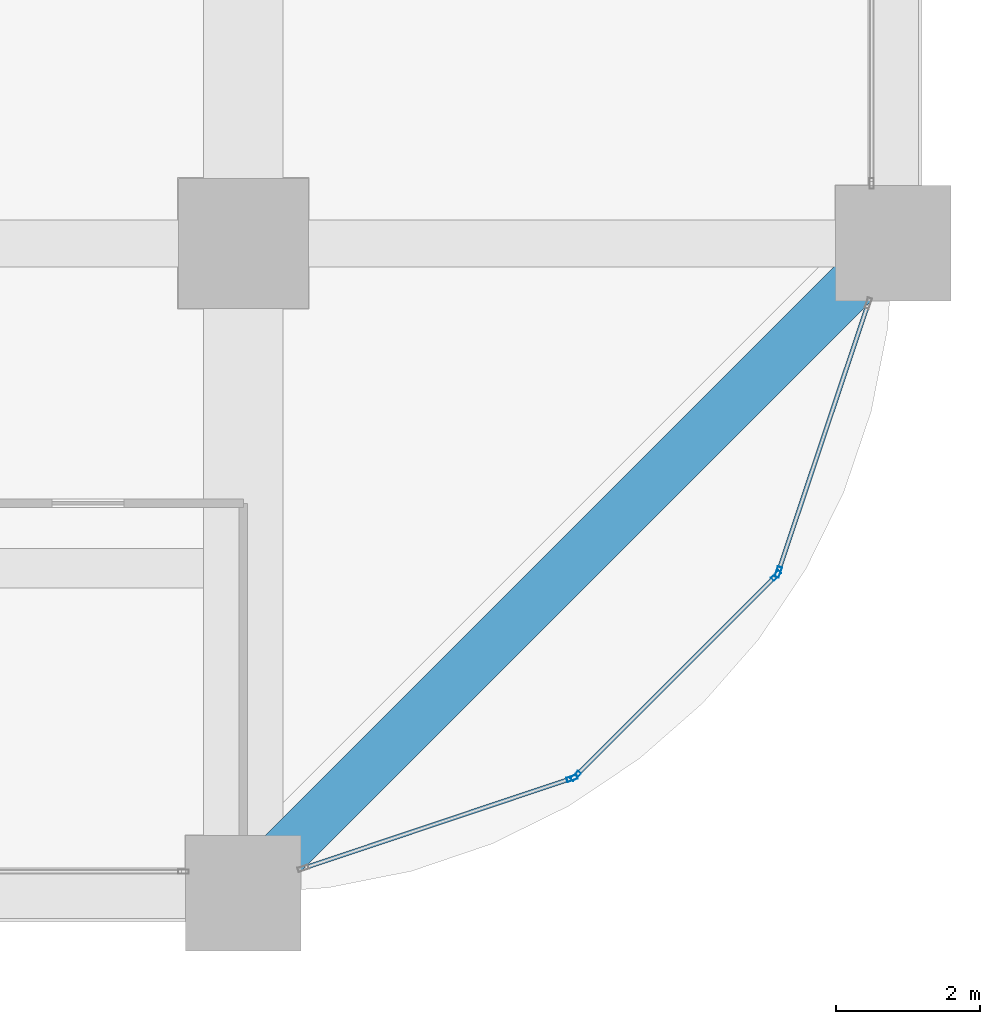
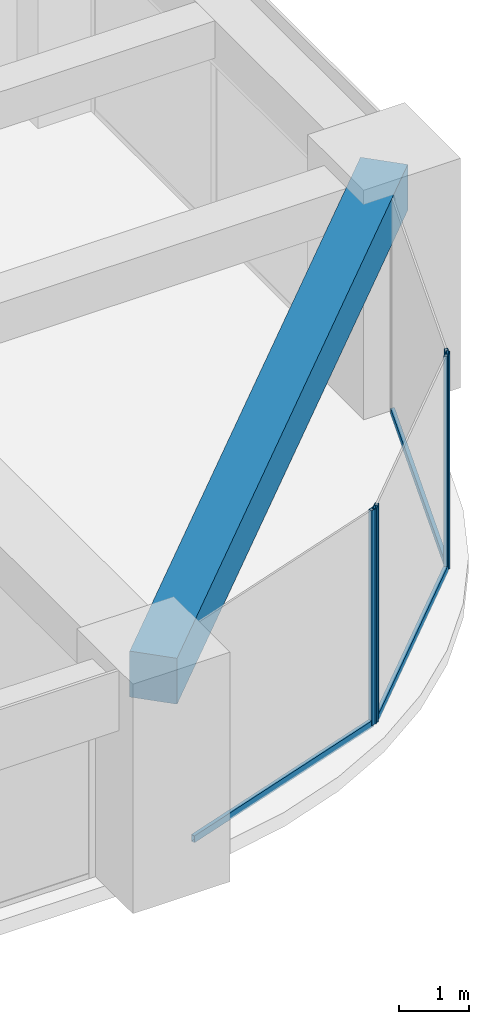
# One storey, part 17 of 40: 7 members, 1 beam, 3 elements without a shape of their own.
"""IFC4 building model written with IfcOpenShell, lengths in metres."""

import ifcopenshell
import ifcopenshell.guid

model = None  # the IFC model being written
_history = None  # IfcOwnerHistory: only IFC2X3 demands one
_inside = {}  # id of a spatial element -> (the spatial element, [elements in it])
_under = {}  # id of a project, library or spatial element -> (it, [spatial elements below it])
_declared = {}  # id of a project -> (the project, [libraries it declares])
_typed = {}  # id of a type object -> (the type object, [elements of that type])
_made_of = {}  # id of a material, layer set ... -> (it, [elements and type objects made of it])


def new_model(schema):
    """Start an empty IFC model of exactly this schema.

    Asked for "IFC4X3", IfcOpenShell would pick the latest addendum, in which some entities
    have other attributes; the version numbers below select the first issue.
    IFC2X3 requires an IfcOwnerHistory on every rooted entity: one is made here for all.
    """
    global model, _history
    if schema == "IFC4X3":
        model = ifcopenshell.file(schema_version=(4, 3, 0, 0))
    else:
        model = ifcopenshell.file(schema=schema)
    _inside.clear()
    _under.clear()
    _declared.clear()
    _typed.clear()
    _made_of.clear()
    _history = None
    if model.schema == "IFC2X3":
        org = make("IfcOrganization", Name="unknown")
        user = make(
            "IfcPersonAndOrganization",
            ThePerson=make("IfcPerson", FamilyName="unknown"),
            TheOrganization=org,
        )
        app = make(
            "IfcApplication",
            ApplicationDeveloper=org,
            Version="unknown",
            ApplicationFullName="unknown",
            ApplicationIdentifier="unknown",
        )
        _history = make(
            "IfcOwnerHistory",
            OwningUser=user,
            OwningApplication=app,
            ChangeAction="ADDED",
            CreationDate=0,
        )
    return model


def make(cls, **values):
    """One entity of the class cls with the attributes given. An attribute that is None is left unset."""
    return model.create_entity(
        cls, **{name: value for name, value in values.items() if value is not None}
    )


def rooted(cls, **values):
    """An entity with a GlobalId (a new one), such as an element, a storey or a relation."""
    return make(cls, GlobalId=ifcopenshell.guid.new(), OwnerHistory=_history, **values)


def si_unit(unit_type, name, prefix=None):
    """IfcSIUnit, for example si_unit("LENGTHUNIT", "METRE", prefix="MILLI")."""
    return make("IfcSIUnit", UnitType=unit_type, Prefix=prefix, Name=name)


def assignment(units):
    """IfcUnitAssignment: the units of a project."""
    return None if units is None else make("IfcUnitAssignment", Units=units)


def point(xyz):
    """IfcCartesianPoint."""
    return None if xyz is None else make("IfcCartesianPoint", Coordinates=xyz)


def direction(xyz):
    """IfcDirection."""
    return None if xyz is None else make("IfcDirection", DirectionRatios=xyz)


def frame(location, z_axis=None, x_axis=None):
    """IfcAxis2Placement3D, a coordinate frame: its origin and axes. An axis left out is left unset."""
    return make(
        "IfcAxis2Placement3D",
        Location=point(location),
        Axis=direction(z_axis),
        RefDirection=direction(x_axis),
    )


def frame_2d(location, x_axis=None):
    """IfcAxis2Placement2D, a coordinate frame in the plane: its origin and x axis."""
    return make(
        "IfcAxis2Placement2D", Location=point(location), RefDirection=direction(x_axis)
    )


def origin():
    """The frame at (0, 0, 0) with its axes left unset."""
    return frame((0.0, 0.0, 0.0))


def origin_2d():
    """The frame at (0, 0) in the plane with its x axis left unset."""
    return frame_2d((0.0, 0.0))


def place(relative_to, where):
    """IfcLocalPlacement: puts the frame where relative to a parent placement (None: the world)."""
    return make(
        "IfcLocalPlacement", PlacementRelTo=relative_to, RelativePlacement=where
    )


def context(
    kind, dimensions, precision=None, world=None, true_north=None, identifier=None
):
    """IfcGeometricRepresentationContext, for example the 3D "Model" context."""
    return make(
        "IfcGeometricRepresentationContext",
        ContextIdentifier=identifier,
        ContextType=kind,
        CoordinateSpaceDimension=dimensions,
        Precision=precision,
        WorldCoordinateSystem=world,
        TrueNorth=true_north,
    )


def subcontext(parent, identifier, kind, view, scale=None):
    """IfcGeometricRepresentationSubContext, for example "Body" below "Model"."""
    return make(
        "IfcGeometricRepresentationSubContext",
        ContextIdentifier=identifier,
        ContextType=kind,
        ParentContext=parent,
        TargetScale=scale,
        TargetView=view,
    )


def project(units=None, contexts=None):
    """IfcProject with its units and contexts."""
    return rooted(
        "IfcProject",
        Name="project",
        RepresentationContexts=contexts,
        UnitsInContext=assignment(units),
    )


def spatial(cls, under=None, at=None, **own):
    """A site, building, storey or space (cls), placed at a placement, below another one or the project."""
    s = rooted(cls, ObjectPlacement=at, **own)
    if under is not None:
        _under.setdefault(under.id(), (under, []))[1].append(s)
    return s


def profile(cls, at=None, kind="AREA", **sizes):
    """A parametric profile (cls). Its sizes go by their IFC names, for example OverallWidth=200.0."""
    return make(cls, ProfileType=kind, Position=at, **sizes)


def rectangle(**sizes):
    """IfcRectangleProfileDef."""
    return profile("IfcRectangleProfileDef", **sizes)


def hollow_rectangle(**sizes):
    """IfcRectangleHollowProfileDef."""
    return profile("IfcRectangleHollowProfileDef", **sizes)


def extrude(swept, where, along, depth):
    """IfcExtrudedAreaSolid: the profile swept, set in the frame where, extruded along a direction by depth."""
    return make(
        "IfcExtrudedAreaSolid",
        SweptArea=swept,
        Position=where,
        ExtrudedDirection=direction(along),
        Depth=depth,
    )


def shape(context_of_items, identifier, shape_type, items):
    """IfcShapeRepresentation: the items that make up one representation, for example the "Body"."""
    return make(
        "IfcShapeRepresentation",
        ContextOfItems=context_of_items,
        RepresentationIdentifier=identifier,
        RepresentationType=shape_type,
        Items=items,
    )


def material(Name=None, Category=None):
    """IfcMaterial."""
    return make("IfcMaterial", Name=Name, Category=Category)


def material_profile(
    of_material, cross_section, Name=None, Category=None, Priority=None
):
    """IfcMaterialProfile: a cross section and its material."""
    return make(
        "IfcMaterialProfile",
        Name=Name,
        Material=of_material,
        Profile=cross_section,
        Priority=Priority,
        Category=Category,
    )


def profile_set(profiles, Name=None, composite=None):
    """IfcMaterialProfileSet."""
    return make(
        "IfcMaterialProfileSet",
        Name=Name,
        MaterialProfiles=profiles,
        CompositeProfile=composite,
    )


def made_of(thing, what):
    """Note that an element or type object is made of a material, layer set ...; save() writes the relation."""
    if what is not None:
        _made_of.setdefault(what.id(), (what, []))[1].append(thing)
    return thing


def type_object(cls, material=None, **own):
    """A type object (cls), such as IfcWallType, which elements share."""
    return made_of(rooted(cls, **own), material)


def element(
    cls,
    number,
    at=None,
    inside=None,
    cuts=None,
    type_object=None,
    material=None,
    context=None,
    identifier="Body",
    shape_type=None,
    held_by="IfcProductDefinitionShape",
    body=None,
    shapes=None,
    **own,
):
    """One element of the class cls, such as IfcWall. Its Tag is "e" and its number.

    at: its placement. inside: the storey or other place that contains it. cuts: it is an
    opening in that element (IfcRelVoidsElement). A single representation is given by context,
    identifier, shape_type and body (its items); several are given by shapes. held_by: the class
    of the entity that holds the representations. save() writes the other relations.
    """
    e = rooted(cls, Tag="e%d" % number, ObjectPlacement=at, **own)
    if body is not None:
        shapes = [shape(context, identifier, shape_type, body)]
    if shapes is not None:
        e.Representation = make(held_by, Representations=shapes)
    if inside is not None:
        _inside.setdefault(inside.id(), (inside, []))[1].append(e)
    if cuts is not None:
        rooted(
            "IfcRelVoidsElement", RelatingBuildingElement=cuts, RelatedOpeningElement=e
        )
    if type_object is not None:
        _typed.setdefault(type_object.id(), (type_object, []))[1].append(e)
    return made_of(e, material)


def aggregate(whole, parts):
    """IfcRelAggregates: a whole, such as a stair, and the parts it consists of."""
    return rooted("IfcRelAggregates", RelatingObject=whole, RelatedObjects=parts)


def save(model, path):
    """Write the relations noted so far, then the file.

    IfcRelAggregates (storeys below a building ...), IfcRelContainedInSpatialStructure (elements
    in a storey), IfcRelDefinesByType, IfcRelAssociatesMaterial and IfcRelDeclares: one each for
    every whole, place, type object, material and project.
    """
    for whole, parts in _under.values():
        aggregate(whole, parts)
    for where, things in _inside.values():
        rooted(
            "IfcRelContainedInSpatialStructure",
            RelatedElements=things,
            RelatingStructure=where,
        )
    for kind, things in _typed.values():
        rooted("IfcRelDefinesByType", RelatedObjects=things, RelatingType=kind)
    for what, things in _made_of.values():
        rooted("IfcRelAssociatesMaterial", RelatedObjects=things, RelatingMaterial=what)
    for by, libraries in _declared.values():
        rooted("IfcRelDeclares", RelatingContext=by, RelatedDefinitions=libraries)
    model.write(path)


model = new_model("IFC4")

# Units and contexts
model_context = context("Model", 3, precision=1e-05, world=origin(), true_north=direction((0.0, 1.0)))
body_context = subcontext(model_context, "Body", "Model", "MODEL_VIEW")
ifc_project = project(units=[si_unit("LENGTHUNIT", "METRE"), si_unit("AREAUNIT", "SQUARE_METRE"), si_unit("VOLUMEUNIT", "CUBIC_METRE"), si_unit("PLANEANGLEUNIT", "RADIAN"), si_unit("MASSUNIT", "GRAM", prefix="KILO")], contexts=[model_context])

# Site, building, storey
site_placement = place(None, origin())
site = spatial("IfcSite", under=ifc_project, at=site_placement, CompositionType="ELEMENT")
building_placement = place(site_placement, origin())
building = spatial("IfcBuilding", under=site, at=building_placement, Name="Zorevar Civic Tower", CompositionType="ELEMENT")
storey_placement = place(building_placement, frame((0.0, 0.0, 133.0)))
storey = spatial("IfcBuildingStorey", under=building, at=storey_placement, Name="L32", CompositionType="ELEMENT", Elevation=133.0)

# Curtain wall, member
ifc_material_1 = material(Name="Dark grey solar-control glass in black aluminium frame", Category="aluminium")
curtain_wall_type = type_object("IfcCurtainWallType", Name="Curtain wall CW3 mid zone", PredefinedType="NOTDEFINED", material=ifc_material_1)
curtain_wall_1_placement = place(storey_placement, origin())
curtain_wall_1 = element("IfcCurtainWall", 1, at=curtain_wall_1_placement, inside=storey, type_object=curtain_wall_type, Name="CW3 L32", PredefinedType="NOTDEFINED")
ifc_material_2 = material(Name="Aluminium, black anodised", Category="aluminium")
ifc_material_profile_1 = material_profile(ifc_material_2, hollow_rectangle(XDim=0.06005859375, YDim=0.14990234375, WallThickness=0.00390625, at=origin_2d()), Name="AL 150x60x4")
ifc_profile_set_1 = profile_set([ifc_material_profile_1], Name="Aluminium, black anodised")
member_type_1 = type_object("IfcMemberType", Name="CW3 mullion AL 150x60x4", PredefinedType="MULLION", material=ifc_profile_set_1)
member_1_placement = place(storey_placement, frame((58.55078125, 1.59326171875, 0.0), z_axis=(0.0, 0.0, 1.0), x_axis=(-0.317592669603, 0.948227238701, 0.0)))
member_1 = element("IfcMember", 2, at=member_1_placement, type_object=member_type_1, Name="CW3 mullion 2", PredefinedType="MULLION", context=body_context, shape_type="SweptSolid", body=[
    extrude(hollow_rectangle(XDim=0.06005859375, YDim=0.14990234375, WallThickness=0.00390625, at=origin_2d()), origin(), (0.0, 0.0, 1.0), 3.75),
])

# Curtain wall, members
curtain_wall_2_placement = place(storey_placement, origin())
curtain_wall_2 = element("IfcCurtainWall", 3, at=curtain_wall_2_placement, inside=storey, type_object=curtain_wall_type, Name="CW3 L32", PredefinedType="NOTDEFINED")
member_2_placement = place(storey_placement, frame((58.600341796875, 1.6240234375, 0.0), z_axis=(0.0, 0.0, 1.0), x_axis=(-0.707106781187, 0.707106781187, 0.0)))
member_2 = element("IfcMember", 4, at=member_2_placement, type_object=member_type_1, Name="CW3 mullion 1", PredefinedType="MULLION", context=body_context, shape_type="SweptSolid", body=[
    extrude(hollow_rectangle(XDim=0.06005859375, YDim=0.14990234375, WallThickness=0.00390625, at=origin_2d()), origin(), (0.0, 0.0, 1.0), 3.75),
])
member_3_placement = place(storey_placement, frame((61.3759765625, 4.399658203125, 0.0), z_axis=(0.0, 0.0, 1.0), x_axis=(-0.707106781187, 0.707106781187, 0.0)))
member_3 = element("IfcMember", 5, at=member_3_placement, type_object=member_type_1, Name="CW3 mullion 2", PredefinedType="MULLION", context=body_context, shape_type="SweptSolid", body=[
    extrude(hollow_rectangle(XDim=0.06005859375, YDim=0.14990234375, WallThickness=0.00390625, at=origin_2d()), origin(), (0.0, 0.0, 1.0), 3.75),
])

# Curtain wall, member
curtain_wall_3_placement = place(storey_placement, origin())
curtain_wall_3 = element("IfcCurtainWall", 6, at=curtain_wall_3_placement, inside=storey, type_object=curtain_wall_type, Name="CW3 L32", PredefinedType="NOTDEFINED")
member_4_placement = place(storey_placement, frame((61.40673828125, 4.44921875, 0.0), z_axis=(0.0, 0.0, 1.0), x_axis=(-0.948227238701, 0.317592669603, 0.0)))
member_4 = element("IfcMember", 7, at=member_4_placement, type_object=member_type_1, Name="CW3 mullion 1", PredefinedType="MULLION", context=body_context, shape_type="SweptSolid", body=[
    extrude(hollow_rectangle(XDim=0.06005859375, YDim=0.14990234375, WallThickness=0.00390625, at=origin_2d()), origin(), (0.0, 0.0, 1.0), 3.75),
])

# Member
ifc_material_3 = material(Name="Aluminium, black anodised", Category="aluminium")
ifc_material_profile_2 = material_profile(ifc_material_3, hollow_rectangle(XDim=0.06005859375, YDim=0.1201171875, WallThickness=0.0029296875, at=origin_2d()), Name="AL 120x60x3")
ifc_profile_set_2 = profile_set([ifc_material_profile_2], Name="Aluminium, black anodised")
member_type_2 = type_object("IfcMemberType", Name="CW3 transom AL 120x60x3", PredefinedType="USERDEFINED", material=ifc_profile_set_2)
member_5_placement = place(storey_placement, frame((54.85693359375, 0.35595703125, 0.030029296875), z_axis=(0.94821488093, 0.317629563458, 0.0), x_axis=(-0.317629563458, 0.94821488093, 0.0)))
member_5 = element("IfcMember", 8, at=member_5_placement, type_object=member_type_2, Name="CW3 sill transom", ObjectType="TRANSOM", PredefinedType="USERDEFINED", context=body_context, shape_type="SweptSolid", body=[
    extrude(hollow_rectangle(XDim=0.06005859375, YDim=0.1201171875, WallThickness=0.0029296875, at=origin_2d()), origin(), (0.0, 0.0, 1.0), 3.865478515625),
])

aggregate(curtain_wall_1, [member_1, member_5])

member_6_placement = place(storey_placement, frame((58.62158203125, 1.64501953125, 0.030029296875), z_axis=(0.707106781187, 0.707106781187, 0.0), x_axis=(-0.707106781187, 0.707106781187, 0.0)))
member_6 = element("IfcMember", 9, at=member_6_placement, type_object=member_type_2, Name="CW3 sill transom", ObjectType="TRANSOM", PredefinedType="USERDEFINED", context=body_context, shape_type="SweptSolid", body=[
    extrude(hollow_rectangle(XDim=0.06005859375, YDim=0.1201171875, WallThickness=0.0029296875, at=origin_2d()), origin(), (0.0, 0.0, 1.0), 3.86572265625),
])

aggregate(curtain_wall_2, [member_2, member_3, member_6])

member_7_placement = place(storey_placement, frame((61.416259765625, 4.477783203125, 0.030029296875), z_axis=(0.317629563458, 0.94821488093, 0.0), x_axis=(-0.94821488093, 0.317629563458, 0.0)))
member_7 = element("IfcMember", 10, at=member_7_placement, type_object=member_type_2, Name="CW3 sill transom", ObjectType="TRANSOM", PredefinedType="USERDEFINED", context=body_context, shape_type="SweptSolid", body=[
    extrude(hollow_rectangle(XDim=0.06005859375, YDim=0.1201171875, WallThickness=0.0029296875, at=origin_2d()), origin(), (0.0, 0.0, 1.0), 3.865478515625),
])

aggregate(curtain_wall_3, [member_4, member_7])

# Beam
ifc_material_4 = material(Name="Concrete C50/60", Category="concrete")
ifc_material_profile_3 = material_profile(ifc_material_4, rectangle(XDim=0.699951171875, YDim=0.800048828125, at=origin_2d()), Name="RC 700x800")
ifc_profile_set_3 = profile_set([ifc_material_profile_3], Name="Concrete C50/60")
beam_type = type_object("IfcBeamType", Name="Edge beam RC 700x800", PredefinedType="SPANDREL", material=ifc_profile_set_3)
beam_placement = place(storey_placement, frame((54.0, 0.0, 3.35009765625), z_axis=(0.707106781187, 0.707106781187, 0.0), x_axis=(-0.707106781187, 0.707106781187, 0.0)))
element("IfcBeam", 11, at=beam_placement, inside=storey, type_object=beam_type, Name="Corner edge beam L33", PredefinedType="SPANDREL", context=body_context, shape_type="SweptSolid", body=[
    extrude(rectangle(XDim=0.699951171875, YDim=0.800048828125, at=origin_2d()), origin(), (0.0, 0.0, 1.0), 12.72802734375),
])

save(model, "model.ifc")
